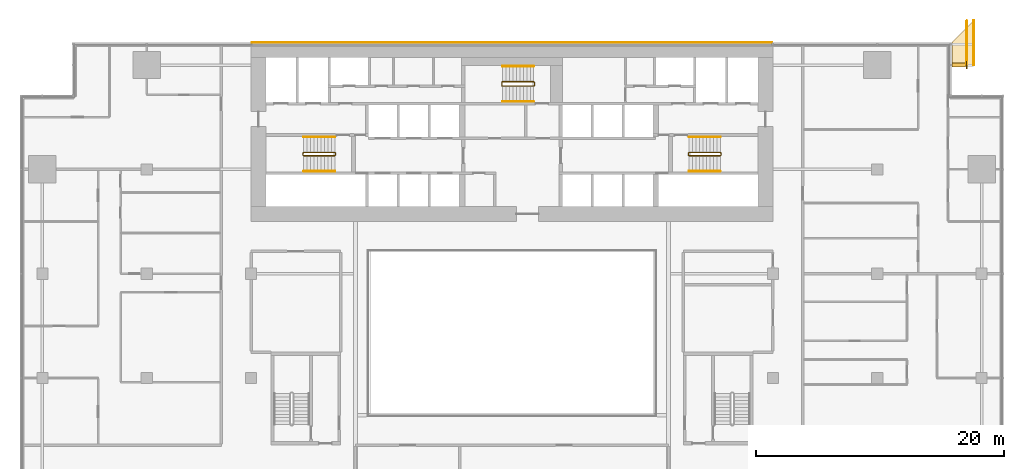
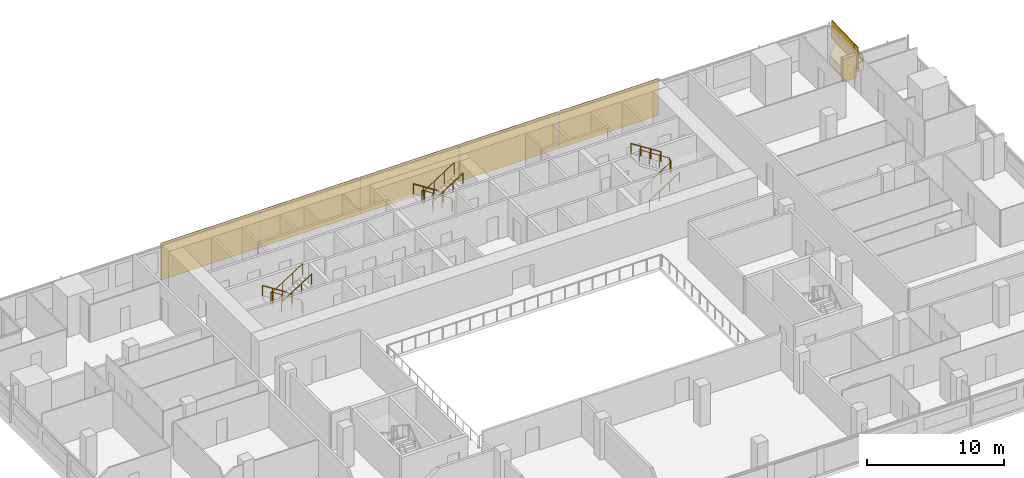
# One storey, part 25 of 25: 11 railings, 8 coverings.
"""IFC4 building model written with IfcOpenShell, lengths in metres."""

from ifc_helpers import new_model, si_unit, direction, frame, origin, origin_2d, place, context, subcontext, project, spatial, polyline, rectangle, circle, outline, extrude, material, layer, layer_set, type_object, element, save


model = new_model("IFC4")

# Units and contexts
model_context = context("Model", 3, precision=1e-05, world=origin(), true_north=direction((0.0, 1.0)))
body_context = subcontext(model_context, "Body", "Model", "MODEL_VIEW")
ifc_project = project(units=[si_unit("LENGTHUNIT", "METRE"), si_unit("AREAUNIT", "SQUARE_METRE"), si_unit("VOLUMEUNIT", "CUBIC_METRE"), si_unit("PLANEANGLEUNIT", "RADIAN"), si_unit("MASSUNIT", "GRAM", prefix="KILO")], contexts=[model_context])

# Site, building, storey
site_placement = place(None, origin())
site = spatial("IfcSite", under=ifc_project, at=site_placement, CompositionType="ELEMENT")
building_placement = place(site_placement, origin())
building = spatial("IfcBuilding", under=site, at=building_placement, Name="Saffron Gate Tower", CompositionType="ELEMENT")
storey_placement = place(building_placement, frame((0.0, 0.0, 80.39990234375)))
storey = spatial("IfcBuildingStorey", under=building, at=storey_placement, Name="L19", CompositionType="ELEMENT", Elevation=80.39990234375)

# Coverings
ifc_material_1 = material(Name="Ceramic-printed bronze insulated panel")
ifc_layer_1 = layer(ifc_material_1, 0.0400390625)
ifc_layer_set_1 = layer_set([ifc_layer_1], Name="CLD1 ceramic-printed cladding panel 40")
covering_type_1 = type_object("IfcCoveringType", Name="CLD1 ceramic-printed cladding panel 40", PredefinedType="CLADDING", material=ifc_layer_set_1)
covering_1_placement = place(storey_placement, origin())
element("IfcCovering", 1, at=covering_1_placement, inside=storey, type_object=covering_type_1, Name="CLADDING ceramic-printed panel", PredefinedType="CLADDING", context=body_context, shape_type="SweptSolid", body=[
    extrude(outline(polyline([(108.56494140625, 75.639892578125), (100.235107421875, 75.639892578125), (100.235107421875, 75.60009765625), (108.56494140625, 75.60009765625), (108.56494140625, 75.639892578125)])), origin(), (0.0, 0.0, 1.0), 3.300048828125),
])
covering_2_placement = place(storey_placement, origin())
element("IfcCovering", 2, at=covering_2_placement, inside=storey, type_object=covering_type_1, Name="CLADDING ceramic-printed panel", PredefinedType="CLADDING", context=body_context, shape_type="SweptSolid", body=[
    extrude(outline(polyline([(100.1650390625, 75.639892578125), (91.8349609375, 75.639892578125), (91.8349609375, 75.60009765625), (100.1650390625, 75.60009765625), (100.1650390625, 75.639892578125)])), origin(), (0.0, 0.0, 1.0), 3.300048828125),
])
covering_3_placement = place(storey_placement, origin())
element("IfcCovering", 3, at=covering_3_placement, inside=storey, type_object=covering_type_1, Name="CLADDING ceramic-printed panel", PredefinedType="CLADDING", context=body_context, shape_type="SweptSolid", body=[
    extrude(outline(polyline([(91.764892578125, 75.639892578125), (83.43505859375, 75.639892578125), (83.43505859375, 75.60009765625), (91.764892578125, 75.60009765625), (91.764892578125, 75.639892578125)])), origin(), (0.0, 0.0, 1.0), 3.300048828125),
])
covering_4_placement = place(storey_placement, origin())
element("IfcCovering", 4, at=covering_4_placement, inside=storey, type_object=covering_type_1, Name="CLADDING ceramic-printed panel", PredefinedType="CLADDING", context=body_context, shape_type="SweptSolid", body=[
    extrude(outline(polyline([(83.364990234375, 75.639892578125), (75.034912109375, 75.639892578125), (75.034912109375, 75.60009765625), (83.364990234375, 75.60009765625), (83.364990234375, 75.639892578125)])), origin(), (0.0, 0.0, 1.0), 3.300048828125),
])
covering_5_placement = place(storey_placement, origin())
element("IfcCovering", 5, at=covering_5_placement, inside=storey, type_object=covering_type_1, Name="CLADDING ceramic-printed panel", PredefinedType="CLADDING", context=body_context, shape_type="SweptSolid", body=[
    extrude(outline(polyline([(74.965087890625, 75.639892578125), (66.635009765625, 75.639892578125), (66.635009765625, 75.60009765625), (74.965087890625, 75.60009765625), (74.965087890625, 75.639892578125)])), origin(), (0.0, 0.0, 1.0), 3.300048828125),
])

# Railings
ifc_material_2 = material(Name="Stainless steel and laminated glass", Category="steel")
railing_type_1 = type_object("IfcRailingType", Name="CR1 Stair guard 1100", PredefinedType="GUARDRAIL", material=ifc_material_2)
railing_1_placement = place(storey_placement, frame((73.39990234375, 66.550048828125, 0.0)))
element("IfcRailing", 6, at=railing_1_placement, inside=storey, type_object=railing_type_1, Name="L19 ST-A stair guard 1", PredefinedType="GUARDRAIL", context=body_context, shape_type="SweptSolid", body=[
    extrude(circle(Radius=0.02392578125, at=origin_2d()), frame((0.0, 0.0, 1.076171875), z_axis=(0.0, 1.0, 0.0), x_axis=(-1.0, 0.0, 0.0)), (0.0, 0.0, 1.0), 0.14990234375),
    extrude(circle(Radius=0.02392578125, at=origin_2d()), frame((0.0, 0.14990234375, 1.076171875), z_axis=(-0.257366384619, 0.258627984543, 0.931060744355), x_axis=(-0.708833529934, -0.705375805398, 0.0)), (0.0, 0.0, 1.0), 0.193603515625),
    extrude(circle(Radius=0.02392578125, at=origin_2d()), frame((-0.0498046875, 0.199951171875, 1.25634765625), z_axis=(-0.841199657755, 0.0, 0.540724639528), x_axis=(0.0, -1.0, 0.0)), (0.0, 0.0, 1.0), 2.995849609375),
    extrude(circle(Radius=0.02392578125, at=origin_2d()), frame((-2.56982421875, 0.199951171875, 2.8759765625), z_axis=(-0.707106781187, -0.707106781187, 0.0), x_axis=(0.707106781187, -0.707106781187, 0.0)), (0.0, 0.0, 1.0), 0.07080078125),
    extrude(circle(Radius=0.02392578125, at=origin_2d()), frame((-2.619873046875, 0.14990234375, 2.8759765625), z_axis=(0.0, -1.0, 0.0), x_axis=(1.0, 0.0, 0.0)), (0.0, 0.0, 1.0), 0.14990234375),
    extrude(circle(Radius=0.02392578125, at=origin_2d()), frame((-2.619873046875, 0.0, 2.8759765625), z_axis=(0.258847668887, -0.258847668887, 0.930588936439), x_axis=(0.707106781187, 0.707106781187, 0.0)), (0.0, 0.0, 1.0), 0.193359375),
    extrude(circle(Radius=0.02392578125, at=origin_2d()), frame((-2.56982421875, -0.050048828125, 3.05615234375), z_axis=(0.841162588446, 0.0, 0.540782303519), x_axis=(0.0, 1.0, 0.0)), (0.0, 0.0, 1.0), 2.995849609375),
    extrude(circle(Radius=0.02099609375, at=origin_2d()), origin(), (0.0, 0.0, 1.0), 1.052001953125),
    extrude(circle(Radius=0.02099609375, at=origin_2d()), frame((0.0, 0.14990234375, 0.0)), (0.0, 0.0, 1.0), 1.052001953125),
    extrude(circle(Radius=0.02099609375, at=origin_2d()), frame((-0.0498046875, 0.199951171875, 0.18017578125)), (0.0, 0.0, 1.0), 1.052001953125),
    extrude(circle(Radius=0.02099609375, at=origin_2d()), frame((-0.889892578125, 0.199951171875, 0.72021484375)), (0.0, 0.0, 1.0), 1.052001953125),
    extrude(circle(Radius=0.02099609375, at=origin_2d()), frame((-1.729736328125, 0.199951171875, 1.260009765625)), (0.0, 0.0, 1.0), 1.052001953125),
    extrude(circle(Radius=0.02099609375, at=origin_2d()), frame((-2.56982421875, 0.199951171875, 1.800048828125)), (0.0, 0.0, 1.0), 1.052001953125),
    extrude(circle(Radius=0.02099609375, at=origin_2d()), frame((-2.619873046875, 0.14990234375, 1.800048828125)), (0.0, 0.0, 1.0), 1.052001953125),
    extrude(circle(Radius=0.02099609375, at=origin_2d()), frame((-2.619873046875, 0.0, 1.800048828125)), (0.0, 0.0, 1.0), 1.052001953125),
    extrude(circle(Radius=0.02099609375, at=origin_2d()), frame((-2.56982421875, -0.050048828125, 1.97998046875)), (0.0, 0.0, 1.0), 1.052001953125),
    extrude(circle(Radius=0.02099609375, at=origin_2d()), frame((-1.729736328125, -0.050048828125, 2.52001953125)), (0.0, 0.0, 1.0), 1.052001953125),
    extrude(circle(Radius=0.02099609375, at=origin_2d()), frame((-0.889892578125, -0.050048828125, 3.06005859375)), (0.0, 0.0, 1.0), 1.052001953125),
    extrude(circle(Radius=0.02099609375, at=origin_2d()), frame((-0.0498046875, -0.050048828125, 3.60009765625)), (0.0, 0.0, 1.0), 1.052001953125),
])
railing_2_placement = place(storey_placement, frame((101.800048828125, 66.699951171875, 0.0)))
element("IfcRailing", 7, at=railing_2_placement, inside=storey, type_object=railing_type_1, Name="L19 ST-B stair guard 1", PredefinedType="GUARDRAIL", context=body_context, shape_type="SweptSolid", body=[
    extrude(circle(Radius=0.02392578125, at=origin_2d()), frame((0.0, 0.0, 1.076171875), z_axis=(0.0, -1.0, 0.0), x_axis=(1.0, 0.0, 0.0)), (0.0, 0.0, 1.0), 0.14990234375),
    extrude(circle(Radius=0.02392578125, at=origin_2d()), frame((0.0, -0.14990234375, 1.076171875), z_axis=(0.258543844998, -0.258543844998, 0.930757841991), x_axis=(0.707106781187, 0.707106781187, 0.0)), (0.0, 0.0, 1.0), 0.193603515625),
    extrude(circle(Radius=0.02392578125, at=origin_2d()), frame((0.050048828125, -0.199951171875, 1.25634765625), z_axis=(0.841199657755, 0.0, 0.540724639528), x_axis=(0.0, 1.0, 0.0)), (0.0, 0.0, 1.0), 2.995849609375),
    extrude(circle(Radius=0.02392578125, at=origin_2d()), frame((2.570068359375, -0.199951171875, 2.8759765625), z_axis=(0.705375805398, 0.708833529934, 0.0), x_axis=(-0.708833529934, 0.705375805398, 0.0)), (0.0, 0.0, 1.0), 0.070556640625),
    extrude(circle(Radius=0.02392578125, at=origin_2d()), frame((2.619873046875, -0.14990234375, 2.8759765625), z_axis=(0.0, 1.0, 0.0), x_axis=(-1.0, 0.0, 0.0)), (0.0, 0.0, 1.0), 0.14990234375),
    extrude(circle(Radius=0.02392578125, at=origin_2d()), frame((2.619873046875, 0.0, 2.8759765625), z_axis=(-0.257669022063, 0.258932105505, 0.930892496375), x_axis=(-0.708833529934, -0.705375805398, 0.0)), (0.0, 0.0, 1.0), 0.193359375),
    extrude(circle(Radius=0.02392578125, at=origin_2d()), frame((2.570068359375, 0.050048828125, 3.05615234375), z_axis=(-0.841162588446, 0.0, 0.540782303519), x_axis=(0.0, -1.0, 0.0)), (0.0, 0.0, 1.0), 2.995849609375),
    extrude(circle(Radius=0.02099609375, at=origin_2d()), origin(), (0.0, 0.0, 1.0), 1.052001953125),
    extrude(circle(Radius=0.02099609375, at=origin_2d()), frame((0.0, -0.14990234375, 0.0)), (0.0, 0.0, 1.0), 1.052001953125),
    extrude(circle(Radius=0.02099609375, at=origin_2d()), frame((0.050048828125, -0.199951171875, 0.18017578125)), (0.0, 0.0, 1.0), 1.052001953125),
    extrude(circle(Radius=0.02099609375, at=origin_2d()), frame((0.89013671875, -0.199951171875, 0.72021484375)), (0.0, 0.0, 1.0), 1.052001953125),
    extrude(circle(Radius=0.02099609375, at=origin_2d()), frame((1.72998046875, -0.199951171875, 1.260009765625)), (0.0, 0.0, 1.0), 1.052001953125),
    extrude(circle(Radius=0.02099609375, at=origin_2d()), frame((2.570068359375, -0.199951171875, 1.800048828125)), (0.0, 0.0, 1.0), 1.052001953125),
    extrude(circle(Radius=0.02099609375, at=origin_2d()), frame((2.619873046875, -0.14990234375, 1.800048828125)), (0.0, 0.0, 1.0), 1.052001953125),
    extrude(circle(Radius=0.02099609375, at=origin_2d()), frame((2.619873046875, 0.0, 1.800048828125)), (0.0, 0.0, 1.0), 1.052001953125),
    extrude(circle(Radius=0.02099609375, at=origin_2d()), frame((2.570068359375, 0.050048828125, 1.97998046875)), (0.0, 0.0, 1.0), 1.052001953125),
    extrude(circle(Radius=0.02099609375, at=origin_2d()), frame((1.72998046875, 0.050048828125, 2.52001953125)), (0.0, 0.0, 1.0), 1.052001953125),
    extrude(circle(Radius=0.02099609375, at=origin_2d()), frame((0.89013671875, 0.050048828125, 3.06005859375)), (0.0, 0.0, 1.0), 1.052001953125),
    extrude(circle(Radius=0.02099609375, at=origin_2d()), frame((0.050048828125, 0.050048828125, 3.60009765625)), (0.0, 0.0, 1.0), 1.052001953125),
])
railing_3_placement = place(storey_placement, frame((89.39990234375, 72.14990234375, 0.0)))
element("IfcRailing", 8, at=railing_3_placement, inside=storey, type_object=railing_type_1, Name="L19 ST-C stair guard 1", PredefinedType="GUARDRAIL", context=body_context, shape_type="SweptSolid", body=[
    extrude(circle(Radius=0.02392578125, at=origin_2d()), frame((0.0, 0.0, 1.076171875), z_axis=(0.0, 1.0, 0.0), x_axis=(-1.0, 0.0, 0.0)), (0.0, 0.0, 1.0), 0.25),
    extrude(circle(Radius=0.02392578125, at=origin_2d()), frame((0.0, 0.25, 1.076171875), z_axis=(-0.257366384619, 0.258627984543, 0.931060744355), x_axis=(-0.708833529934, -0.705375805398, 0.0)), (0.0, 0.0, 1.0), 0.193603515625),
    extrude(circle(Radius=0.02392578125, at=origin_2d()), frame((-0.0498046875, 0.300048828125, 1.25634765625), z_axis=(-0.841199657755, 0.0, 0.540724639528), x_axis=(0.0, -1.0, 0.0)), (0.0, 0.0, 1.0), 2.995849609375),
    extrude(circle(Radius=0.02392578125, at=origin_2d()), frame((-2.56982421875, 0.300048828125, 2.8759765625), z_axis=(-0.707106781187, -0.707106781187, 0.0), x_axis=(0.707106781187, -0.707106781187, 0.0)), (0.0, 0.0, 1.0), 0.07080078125),
    extrude(circle(Radius=0.02392578125, at=origin_2d()), frame((-2.619873046875, 0.25, 2.8759765625), z_axis=(0.0, -1.0, 0.0), x_axis=(1.0, 0.0, 0.0)), (0.0, 0.0, 1.0), 0.25),
    extrude(circle(Radius=0.02392578125, at=origin_2d()), frame((-2.619873046875, 0.0, 2.8759765625), z_axis=(0.258932105505, -0.257669022063, 0.930892496375), x_axis=(0.705375805398, 0.708833529934, 0.0)), (0.0, 0.0, 1.0), 0.193359375),
    extrude(circle(Radius=0.02392578125, at=origin_2d()), frame((-2.56982421875, -0.0498046875, 3.05615234375), z_axis=(0.841162588446, 0.0, 0.540782303519), x_axis=(0.0, 1.0, 0.0)), (0.0, 0.0, 1.0), 2.995849609375),
    extrude(circle(Radius=0.02099609375, at=origin_2d()), origin(), (0.0, 0.0, 1.0), 1.052001953125),
    extrude(circle(Radius=0.02099609375, at=origin_2d()), frame((0.0, 0.25, 0.0)), (0.0, 0.0, 1.0), 1.052001953125),
    extrude(circle(Radius=0.02099609375, at=origin_2d()), frame((-0.0498046875, 0.300048828125, 0.18017578125)), (0.0, 0.0, 1.0), 1.052001953125),
    extrude(circle(Radius=0.02099609375, at=origin_2d()), frame((-0.889892578125, 0.300048828125, 0.72021484375)), (0.0, 0.0, 1.0), 1.052001953125),
    extrude(circle(Radius=0.02099609375, at=origin_2d()), frame((-1.729736328125, 0.300048828125, 1.260009765625)), (0.0, 0.0, 1.0), 1.052001953125),
    extrude(circle(Radius=0.02099609375, at=origin_2d()), frame((-2.56982421875, 0.300048828125, 1.800048828125)), (0.0, 0.0, 1.0), 1.052001953125),
    extrude(circle(Radius=0.02099609375, at=origin_2d()), frame((-2.619873046875, 0.25, 1.800048828125)), (0.0, 0.0, 1.0), 1.052001953125),
    extrude(circle(Radius=0.02099609375, at=origin_2d()), frame((-2.619873046875, 0.0, 1.800048828125)), (0.0, 0.0, 1.0), 1.052001953125),
    extrude(circle(Radius=0.02099609375, at=origin_2d()), frame((-2.56982421875, -0.0498046875, 1.97998046875)), (0.0, 0.0, 1.0), 1.052001953125),
    extrude(circle(Radius=0.02099609375, at=origin_2d()), frame((-1.729736328125, -0.0498046875, 2.52001953125)), (0.0, 0.0, 1.0), 1.052001953125),
    extrude(circle(Radius=0.02099609375, at=origin_2d()), frame((-0.889892578125, -0.0498046875, 3.06005859375)), (0.0, 0.0, 1.0), 1.052001953125),
    extrude(circle(Radius=0.02099609375, at=origin_2d()), frame((-0.0498046875, -0.0498046875, 3.60009765625)), (0.0, 0.0, 1.0), 1.052001953125),
])
ifc_material_3 = material(Name="Stainless steel", Category="steel")
railing_type_2 = type_object("IfcRailingType", Name="CR2 Stair handrail 900", PredefinedType="HANDRAIL", material=ifc_material_3)
railing_4_placement = place(storey_placement, frame((73.35009765625, 68.0, 0.18017578125)))
element("IfcRailing", 9, at=railing_4_placement, inside=storey, type_object=railing_type_2, Name="L19 ST-A stair handrail 1", PredefinedType="HANDRAIL", context=body_context, shape_type="SweptSolid", body=[
    extrude(circle(Radius=0.02392578125, at=origin_2d()), frame((0.0, 0.0, 0.8759765625), z_axis=(-0.841199657755, 0.0, 0.540724639528), x_axis=(0.0, -1.0, 0.0)), (0.0, 0.0, 1.0), 2.995849609375),
    extrude(circle(Radius=0.02099609375, at=origin_2d()), origin(), (0.0, 0.0, 1.0), 0.851806640625),
    extrude(circle(Radius=0.02099609375, at=origin_2d()), frame((-0.840087890625, 0.0, 0.5400390625)), (0.0, 0.0, 1.0), 0.851806640625),
    extrude(circle(Radius=0.02099609375, at=origin_2d()), frame((-1.679931640625, 0.0, 1.079833984375)), (0.0, 0.0, 1.0), 0.851806640625),
    extrude(circle(Radius=0.02099609375, at=origin_2d()), frame((-2.52001953125, 0.0, 1.619873046875)), (0.0, 0.0, 1.0), 0.851806640625),
])
railing_5_placement = place(storey_placement, frame((70.830078125, 65.25, 1.97998046875)))
element("IfcRailing", 10, at=railing_5_placement, inside=storey, type_object=railing_type_2, Name="L19 ST-A stair handrail 2", PredefinedType="HANDRAIL", context=body_context, shape_type="SweptSolid", body=[
    extrude(circle(Radius=0.02392578125, at=origin_2d()), frame((0.0, 0.0, 0.8759765625), z_axis=(0.841162588446, 0.0, 0.540782303519), x_axis=(0.0, 1.0, 0.0)), (0.0, 0.0, 1.0), 2.995849609375),
    extrude(circle(Radius=0.02099609375, at=origin_2d()), origin(), (0.0, 0.0, 1.0), 0.851806640625),
    extrude(circle(Radius=0.02099609375, at=origin_2d()), frame((0.840087890625, 0.0, 0.5400390625)), (0.0, 0.0, 1.0), 0.851806640625),
    extrude(circle(Radius=0.02099609375, at=origin_2d()), frame((1.679931640625, 0.0, 1.080078125)), (0.0, 0.0, 1.0), 0.851806640625),
    extrude(circle(Radius=0.02099609375, at=origin_2d()), frame((2.52001953125, 0.0, 1.6201171875)), (0.0, 0.0, 1.0), 0.851806640625),
])
railing_6_placement = place(storey_placement, frame((101.85009765625, 65.25, 0.18017578125)))
element("IfcRailing", 11, at=railing_6_placement, inside=storey, type_object=railing_type_2, Name="L19 ST-B stair handrail 1", PredefinedType="HANDRAIL", context=body_context, shape_type="SweptSolid", body=[
    extrude(circle(Radius=0.02392578125, at=origin_2d()), frame((0.0, 0.0, 0.8759765625), z_axis=(0.841199657755, 0.0, 0.540724639528), x_axis=(0.0, 1.0, 0.0)), (0.0, 0.0, 1.0), 2.995849609375),
    extrude(circle(Radius=0.02099609375, at=origin_2d()), origin(), (0.0, 0.0, 1.0), 0.851806640625),
    extrude(circle(Radius=0.02099609375, at=origin_2d()), frame((0.840087890625, 0.0, 0.5400390625)), (0.0, 0.0, 1.0), 0.851806640625),
    extrude(circle(Radius=0.02099609375, at=origin_2d()), frame((1.679931640625, 0.0, 1.079833984375)), (0.0, 0.0, 1.0), 0.851806640625),
    extrude(circle(Radius=0.02099609375, at=origin_2d()), frame((2.52001953125, 0.0, 1.619873046875)), (0.0, 0.0, 1.0), 0.851806640625),
])
railing_7_placement = place(storey_placement, frame((104.3701171875, 68.0, 1.97998046875)))
element("IfcRailing", 12, at=railing_7_placement, inside=storey, type_object=railing_type_2, Name="L19 ST-B stair handrail 2", PredefinedType="HANDRAIL", context=body_context, shape_type="SweptSolid", body=[
    extrude(circle(Radius=0.02392578125, at=origin_2d()), frame((0.0, 0.0, 0.8759765625), z_axis=(-0.841162588446, 0.0, 0.540782303519), x_axis=(0.0, -1.0, 0.0)), (0.0, 0.0, 1.0), 2.995849609375),
    extrude(circle(Radius=0.02099609375, at=origin_2d()), origin(), (0.0, 0.0, 1.0), 0.851806640625),
    extrude(circle(Radius=0.02099609375, at=origin_2d()), frame((-0.840087890625, 0.0, 0.5400390625)), (0.0, 0.0, 1.0), 0.851806640625),
    extrude(circle(Radius=0.02099609375, at=origin_2d()), frame((-1.679931640625, 0.0, 1.080078125)), (0.0, 0.0, 1.0), 0.851806640625),
    extrude(circle(Radius=0.02099609375, at=origin_2d()), frame((-2.52001953125, 0.0, 1.6201171875)), (0.0, 0.0, 1.0), 0.851806640625),
])
railing_8_placement = place(storey_placement, frame((89.35009765625, 73.699951171875, 0.18017578125)))
element("IfcRailing", 13, at=railing_8_placement, inside=storey, type_object=railing_type_2, Name="L19 ST-C stair handrail 1", PredefinedType="HANDRAIL", context=body_context, shape_type="SweptSolid", body=[
    extrude(circle(Radius=0.02392578125, at=origin_2d()), frame((0.0, 0.0, 0.8759765625), z_axis=(-0.841199657755, 0.0, 0.540724639528), x_axis=(0.0, -1.0, 0.0)), (0.0, 0.0, 1.0), 2.995849609375),
    extrude(circle(Radius=0.02099609375, at=origin_2d()), origin(), (0.0, 0.0, 1.0), 0.851806640625),
    extrude(circle(Radius=0.02099609375, at=origin_2d()), frame((-0.840087890625, 0.0, 0.5400390625)), (0.0, 0.0, 1.0), 0.851806640625),
    extrude(circle(Radius=0.02099609375, at=origin_2d()), frame((-1.679931640625, 0.0, 1.079833984375)), (0.0, 0.0, 1.0), 0.851806640625),
    extrude(circle(Radius=0.02099609375, at=origin_2d()), frame((-2.52001953125, 0.0, 1.619873046875)), (0.0, 0.0, 1.0), 0.851806640625),
])
railing_9_placement = place(storey_placement, frame((86.830078125, 70.85009765625, 1.97998046875)))
element("IfcRailing", 14, at=railing_9_placement, inside=storey, type_object=railing_type_2, Name="L19 ST-C stair handrail 2", PredefinedType="HANDRAIL", context=body_context, shape_type="SweptSolid", body=[
    extrude(circle(Radius=0.02392578125, at=origin_2d()), frame((0.0, 0.0, 0.8759765625), z_axis=(0.841162588446, 0.0, 0.540782303519), x_axis=(0.0, 1.0, 0.0)), (0.0, 0.0, 1.0), 2.995849609375),
    extrude(circle(Radius=0.02099609375, at=origin_2d()), origin(), (0.0, 0.0, 1.0), 0.851806640625),
    extrude(circle(Radius=0.02099609375, at=origin_2d()), frame((0.840087890625, 0.0, 0.5400390625)), (0.0, 0.0, 1.0), 0.851806640625),
    extrude(circle(Radius=0.02099609375, at=origin_2d()), frame((1.679931640625, 0.0, 1.080078125)), (0.0, 0.0, 1.0), 0.851806640625),
    extrude(circle(Radius=0.02099609375, at=origin_2d()), frame((2.52001953125, 0.0, 1.6201171875)), (0.0, 0.0, 1.0), 0.851806640625),
])

# Coverings
ifc_material_4 = material(Name="Timber, thermally modified ash", Category="wood")
ifc_layer_2 = layer(ifc_material_4, 0.800048828125)
ifc_layer_set_2 = layer_set([ifc_layer_2], Name="LD1 ledge timber")
covering_type_2 = type_object("IfcCoveringType", Name="LD1 ledge timber", PredefinedType="CLADDING", material=ifc_layer_set_2)
covering_6_placement = place(storey_placement, frame((123.0, 73.800048828125, 0.2490234375), z_axis=(4.3887651e-05, -0.028833291474, 0.999584233257), x_axis=(-1.925e-09, 0.99958423422, 0.028833291502)))
element("IfcCovering", 15, at=covering_6_placement, inside=storey, type_object=covering_type_2, Name="LEDGE", PredefinedType="CLADDING", context=body_context, shape_type="SweptSolid", body=[
    extrude(outline(polyline([(0.0, 0.0), (1.8007998168930421, -4.235164736271502e-22), (3.6013485518229187, -1.800048836792318), (-3.4656747156665518e-09, -1.8000488263914396), (0.0, 0.0)])), origin(), (0.0, 0.0, -1.0), 0.800048828125),
])
ifc_layer_3 = layer(ifc_material_4, 0.080078125)
ifc_layer_set_3 = layer_set([ifc_layer_3], Name="LD2 ledge planter trough")
covering_type_3 = type_object("IfcCoveringType", Name="LD2 ledge planter trough", PredefinedType="CLADDING", material=ifc_layer_set_3)
covering_7_placement = place(storey_placement, frame((124.800048828125, 73.800048828125, 0.2490234375), z_axis=(1.0, 0.0, 0.0), x_axis=(0.0, 0.999584866472, 0.028811364412)))
element("IfcCovering", 16, at=covering_7_placement, inside=storey, type_object=covering_type_3, Name="LEDGE planter trough", PredefinedType="CLADDING", context=body_context, shape_type="SweptSolid", body=[
    extrude(outline(polyline([(0.0, 0.0), (3.601348556155073, 0.0), (3.6157542383609322, 0.49979243323622236), (0.01440568220585924, 0.49979243323622236), (0.0, 0.0)])), origin(), (0.0, 0.0, -1.0), 0.080078125),
])
ifc_layer_4 = layer(ifc_material_4, 0.300048828125)
ifc_layer_set_4 = layer_set([ifc_layer_4], Name="LD3 ledge riser fin")
covering_type_4 = type_object("IfcCoveringType", Name="LD3 ledge riser fin", PredefinedType="CLADDING", material=ifc_layer_set_4)
covering_8_placement = place(storey_placement, frame((123.56005859375, 73.800048828125, -0.893798828125), z_axis=(0.0, 0.0, 1.0), x_axis=(0.0, 1.0, 0.0)))
element("IfcCovering", 17, at=covering_8_placement, inside=storey, type_object=covering_type_4, Name="LEDGE riser fin", PredefinedType="CLADDING", context=body_context, shape_type="SweptSolid", body=[
    extrude(rectangle(XDim=0.300048828125, YDim=1.1201171875, at=origin_2d()), origin(), (0.0, 0.0, 1.0), 2.04296875),
])

# Railings
railing_type_3 = type_object("IfcRailingType", Name="LG1 ledge balustrade", PredefinedType="BALUSTRADE", material=ifc_material_4)
railing_10_placement = place(storey_placement, frame((124.199951171875, 73.800048828125, 0.2490234375)))
element("IfcRailing", 18, at=railing_10_placement, inside=storey, type_object=railing_type_3, Name="LEDGE BALUSTRADE", PredefinedType="BALUSTRADE", context=body_context, shape_type="SweptSolid", body=[
    extrude(rectangle(XDim=0.06005859375, YDim=1.60009765625, at=origin_2d()), frame((0.0, 0.0, 0.800048828125), z_axis=(0.0, 0.999584866472, 0.028811364412), x_axis=(-1.0, 0.0, 0.0)), (0.0, 0.0, 1.0), 3.601318359375),
])
railing_11_placement = place(storey_placement, frame((124.199951171875, 73.5, -0.093994140625)))
element("IfcRailing", 19, at=railing_11_placement, inside=storey, type_object=railing_type_3, Name="LEDGE BALUSTRADE", PredefinedType="BALUSTRADE", context=body_context, shape_type="SweptSolid", body=[
    extrude(rectangle(XDim=0.06005859375, YDim=1.943115234375, at=origin_2d()), frame((0.0, 0.0, 0.9716796875), z_axis=(0.0, 1.0, 0.0), x_axis=(-1.0, 0.0, 0.0)), (0.0, 0.0, 1.0), 0.60009765625),
])

save(model, "model.ifc")
